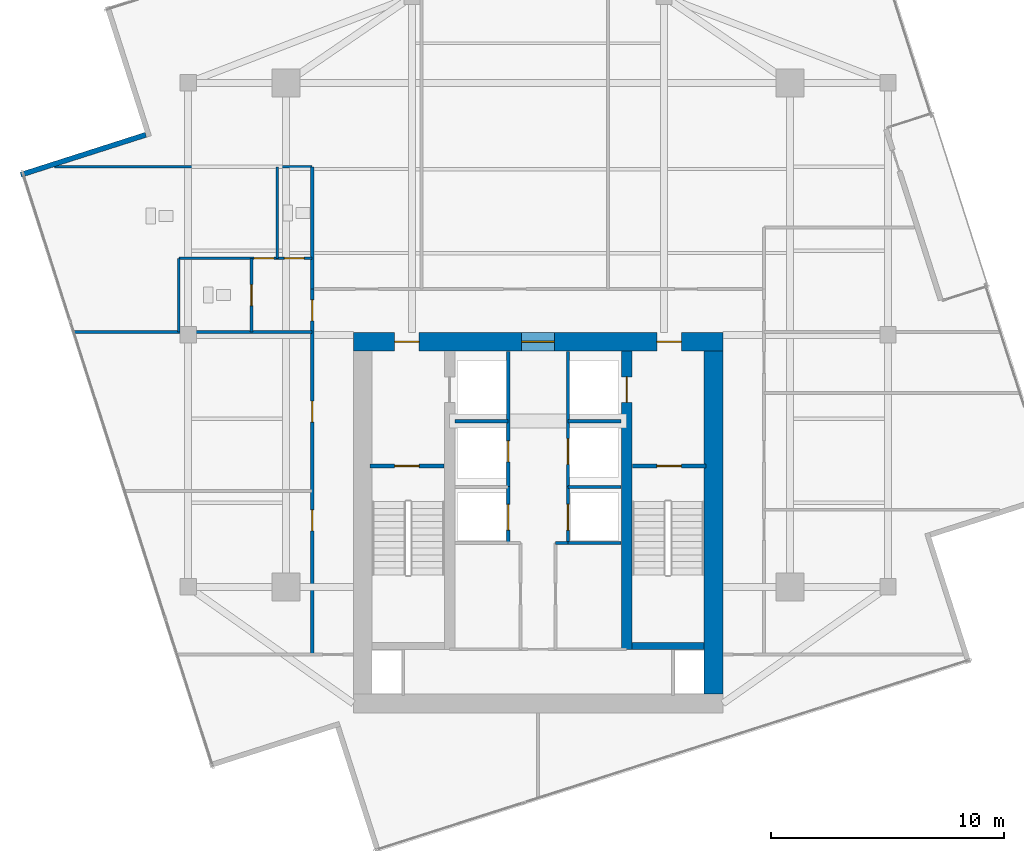
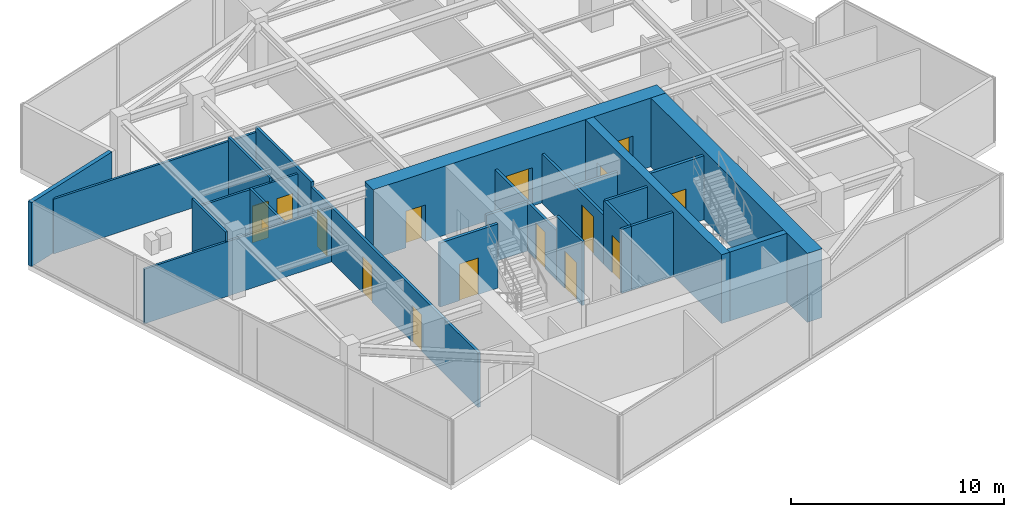
# One storey, part 18 of 21: 24 walls, 16 doors, 16 openings.
"""IFC4 building model written with IfcOpenShell, lengths in metres."""

from ifc_helpers import new_model, si_unit, direction, frame, frame_2d, origin, place, context, subcontext, project, spatial, rectangle, extrude, material, layer, layer_set, type_object, element, fill, save


model = new_model("IFC4")

# Units and contexts
model_context = context("Model", 3, precision=1e-05, world=origin(), true_north=direction((0.0, 1.0)))
body_context = subcontext(model_context, "Body", "Model", "MODEL_VIEW")
ifc_project = project(units=[si_unit("LENGTHUNIT", "METRE"), si_unit("AREAUNIT", "SQUARE_METRE"), si_unit("VOLUMEUNIT", "CUBIC_METRE"), si_unit("PLANEANGLEUNIT", "RADIAN"), si_unit("MASSUNIT", "GRAM", prefix="KILO")], contexts=[model_context])

# Site, building, storey
site_placement = place(None, origin())
site = spatial("IfcSite", under=ifc_project, at=site_placement, CompositionType="ELEMENT")
building_placement = place(site_placement, origin())
building = spatial("IfcBuilding", under=site, at=building_placement, Name="Krantzveldt Concourse Tower", CompositionType="ELEMENT")
storey_placement = place(building_placement, frame((0.0, 0.0, 343.5)))
storey = spatial("IfcBuildingStorey", under=building, at=storey_placement, Name="L84", CompositionType="ELEMENT", Elevation=343.5)

# Walls
ifc_material_1 = material(Name="Anodised aluminium 6063-T6", Category="aluminium")
ifc_layer_1 = layer(ifc_material_1, 0.219970703125, Name="Anodised aluminium 6063-T6", Category="aluminium")
ifc_layer_set_1 = layer_set([ifc_layer_1], Name="Anodised aluminium 6063-T6 (WL-EXT-NOTCH220)")
wall_type_1 = type_object("IfcWallType", Name="WL-EXT-NOTCH220", PredefinedType="ELEMENTEDWALL", material=ifc_layer_set_1)
wall_1_placement = place(storey_placement, frame((19.186279296875, 35.272216796875, 0.0), z_axis=(0.0, 0.0, 1.0), x_axis=(-0.952395921602, -0.30486391803, 0.0)))
element("IfcWall", 1, at=wall_1_placement, inside=storey, type_object=wall_type_1, Name="EW-L84-NCH03", PredefinedType="ELEMENTEDWALL", context=body_context, shape_type="SweptSolid", body=[
    extrude(rectangle(XDim=5.625, YDim=0.219970703125, at=frame_2d((2.8125, 0.0))), origin(), (0.0, 0.0, 1.0), 3.669921875),
])
ifc_material_2 = material(Name="Fire-rated gypsum plasterboard on steel stud", Category="steel")
ifc_layer_2 = layer(ifc_material_2, 0.1201171875, Name="Fire-rated gypsum plasterboard on steel stud", Category="steel")
ifc_layer_set_2 = layer_set([ifc_layer_2], Name="Fire-rated gypsum plasterboard on steel stud (WL-PART-120)")
wall_type_2 = type_object("IfcWallType", Name="WL-PART-120", PredefinedType="PARTITIONING", material=ifc_layer_set_2)
wall_2_placement = place(storey_placement, frame((16.1064453125, 26.820068359375, 0.0), z_axis=(0.0, 0.0, 1.0), x_axis=(1.0, 0.0, 0.0)))
element("IfcWall", 2, at=wall_2_placement, inside=storey, type_object=wall_type_2, Name="WP-L84-WCBS", PredefinedType="PARTITIONING", context=body_context, shape_type="SweptSolid", body=[
    extrude(rectangle(XDim=10.213623046875, YDim=0.1201171875, at=frame_2d((5.10693359375, 0.0))), origin(), (0.0, 0.0, 1.0), 3.1298828125),
])
wall_3_placement = place(storey_placement, frame((15.27685546875, 33.89990234375, 0.0), z_axis=(0.0, 0.0, 1.0), x_axis=(1.0, 0.0, 0.0)))
element("IfcWall", 3, at=wall_3_placement, inside=storey, type_object=wall_type_2, Name="WP-L84-WCBN", PredefinedType="PARTITIONING", context=body_context, shape_type="SweptSolid", body=[
    extrude(rectangle(XDim=11.043212890625, YDim=0.1201171875, at=frame_2d((5.521484375, 0.0))), origin(), (0.0, 0.0, 1.0), 3.1298828125),
])

# Wall, openings, doors
wall_4_placement = place(storey_placement, frame((20.60009765625, 29.97998046875, 0.0), z_axis=(0.0, 0.0, 1.0), x_axis=(1.0, 0.0, 0.0)))
wall_4 = element("IfcWall", 4, at=wall_4_placement, inside=storey, type_object=wall_type_2, Name="WP-L84-WCMH", PredefinedType="PARTITIONING", context=body_context, shape_type="SweptSolid", body=[
    extrude(rectangle(XDim=5.719970703125, YDim=0.1201171875, at=frame_2d((2.85986328125, 0.0))), origin(), (0.0, 0.0, 1.0), 3.1298828125),
])
opening_1_placement = place(wall_4_placement, frame((3.22509765625, 0.0, 0.0)))
opening_1 = element("IfcOpeningElement", 5, at=opening_1_placement, cuts=wall_4, Name="Opening D-IN085", PredefinedType="OPENING", context=body_context, shape_type="SweptSolid", body=[
    extrude(rectangle(XDim=0.85009765625, YDim=2.10009765625, at=frame_2d((0.425048828125, 1.050048828125))), frame((0.0, 0.070068359375, 0.0), z_axis=(0.0, -1.0, 0.0), x_axis=(1.0, 0.0, 0.0)), (0.0, 0.0, 1.0), 0.14013671875),
])
opening_2_placement = place(wall_4_placement, frame((4.52490234375, 0.0, 0.0)))
opening_2 = element("IfcOpeningElement", 6, at=opening_2_placement, cuts=wall_4, Name="Opening D-IN085", PredefinedType="OPENING", context=body_context, shape_type="SweptSolid", body=[
    extrude(rectangle(XDim=0.85009765625, YDim=2.10009765625, at=frame_2d((0.425048828125, 1.050048828125))), frame((0.0, 0.070068359375, 0.0), z_axis=(0.0, -1.0, 0.0), x_axis=(1.0, 0.0, 0.0)), (0.0, 0.0, 1.0), 0.14013671875),
])
ifc_material_3 = material(Name="Hardwood timber", Category="wood")
door_type_1 = type_object("IfcDoorType", Name="DR-INT-850", OperationType="SINGLE_SWING_LEFT", PredefinedType="DOOR", material=ifc_material_3)
door_1_placement = place(opening_1_placement, origin())
door_1 = element("IfcDoor", 7, at=door_1_placement, inside=storey, type_object=door_type_1, Name="DR-L84-WCM", OperationType="SINGLE_SWING_LEFT", OverallHeight=2.10009765625, OverallWidth=0.85009765625, PredefinedType="DOOR", context=body_context, shape_type="SweptSolid", body=[
    extrude(rectangle(XDim=0.85009765625, YDim=2.10009765625, at=frame_2d((0.425048828125, 1.050048828125))), frame((0.0, 0.02490234375, 0.0), z_axis=(0.0, -1.0, 0.0), x_axis=(1.0, 0.0, 0.0)), (0.0, 0.0, 1.0), 0.050048828125),
])
fill(opening_1, door_1)
door_2_placement = place(opening_2_placement, origin())
door_2 = element("IfcDoor", 8, at=door_2_placement, inside=storey, type_object=door_type_1, Name="DR-L84-WCF", OperationType="SINGLE_SWING_RIGHT", OverallHeight=2.10009765625, OverallWidth=0.85009765625, PredefinedType="DOOR", context=body_context, shape_type="SweptSolid", body=[
    extrude(rectangle(XDim=0.85009765625, YDim=2.10009765625, at=frame_2d((0.425048828125, 1.050048828125))), frame((0.0, 0.02490234375, 0.0), z_axis=(0.0, -1.0, 0.0), x_axis=(1.0, 0.0, 0.0)), (0.0, 0.0, 1.0), 0.050048828125),
])
fill(opening_2, door_2)

# Wall
wall_5_placement = place(storey_placement, frame((20.60009765625, 26.820068359375, 0.0), z_axis=(0.0, 0.0, 1.0), x_axis=(0.0, 1.0, 0.0)))
element("IfcWall", 9, at=wall_5_placement, inside=storey, type_object=wall_type_2, Name="WP-L84-WCAL", PredefinedType="PARTITIONING", context=body_context, shape_type="SweptSolid", body=[
    extrude(rectangle(XDim=3.159912109375, YDim=0.1201171875, at=frame_2d((1.580078125, 0.0))), origin(), (0.0, 0.0, 1.0), 3.669921875),
])

# Wall, opening, door
wall_6_placement = place(storey_placement, frame((23.719970703125, 26.820068359375, 0.0), z_axis=(0.0, 0.0, 1.0), x_axis=(0.0, 1.0, 0.0)))
wall_6 = element("IfcWall", 10, at=wall_6_placement, inside=storey, type_object=wall_type_2, Name="WP-L84-WCAV", PredefinedType="PARTITIONING", context=body_context, shape_type="SweptSolid", body=[
    extrude(rectangle(XDim=3.159912109375, YDim=0.1201171875, at=frame_2d((1.580078125, 0.0))), origin(), (0.0, 0.0, 1.0), 3.179931640625),
])
opening_3_placement = place(wall_6_placement, frame((1.1298828125, 0.0, 0.0)))
opening_3 = element("IfcOpeningElement", 11, at=opening_3_placement, cuts=wall_6, Name="Opening D-IN090", PredefinedType="OPENING", context=body_context, shape_type="SweptSolid", body=[
    extrude(rectangle(XDim=0.89990234375, YDim=2.10009765625, at=frame_2d((0.449951171875, 1.050048828125))), frame((0.0, 0.070068359375, 0.0), z_axis=(0.0, -1.0, 0.0), x_axis=(1.0, 0.0, 0.0)), (0.0, 0.0, 1.0), 0.14013671875),
])
door_type_2 = type_object("IfcDoorType", Name="DR-INT-900", OperationType="SINGLE_SWING_LEFT", PredefinedType="DOOR", material=ifc_material_3)
door_3_placement = place(opening_3_placement, origin())
door_3 = element("IfcDoor", 12, at=door_3_placement, inside=storey, type_object=door_type_2, Name="DR-L84-WCA", OperationType="SINGLE_SWING_LEFT", OverallHeight=2.10009765625, OverallWidth=0.89990234375, PredefinedType="DOOR", context=body_context, shape_type="SweptSolid", body=[
    extrude(rectangle(XDim=0.89990234375, YDim=2.10009765625, at=frame_2d((0.449951171875, 1.050048828125))), frame((0.0, 0.02490234375, 0.0), z_axis=(0.0, -1.0, 0.0), x_axis=(1.0, 0.0, 0.0)), (0.0, 0.0, 1.0), 0.050048828125),
])
fill(opening_3, door_3)

# Wall
wall_7_placement = place(storey_placement, frame((24.820068359375, 29.97998046875, 0.0), z_axis=(0.0, 0.0, 1.0), x_axis=(0.0, 1.0, 0.0)))
element("IfcWall", 13, at=wall_7_placement, inside=storey, type_object=wall_type_2, Name="WP-L84-WCFD", PredefinedType="PARTITIONING", context=body_context, shape_type="SweptSolid", body=[
    extrude(rectangle(XDim=3.919921875, YDim=0.1201171875, at=frame_2d((1.9599609375, 0.0))), origin(), (0.0, 0.0, 1.0), 3.3701171875),
])

# Wall, openings, doors
ifc_layer_3 = layer(ifc_material_2, 0.139892578125, Name="Fire-rated gypsum plasterboard on steel stud", Category="steel")
ifc_layer_set_3 = layer_set([ifc_layer_3], Name="Fire-rated gypsum plasterboard on steel stud (WL-PART-140)")
wall_type_3 = type_object("IfcWallType", Name="WL-PART-140", PredefinedType="PARTITIONING", material=ifc_layer_set_3)
wall_8_placement = place(storey_placement, frame((26.320068359375, 13.0, 0.0), z_axis=(0.0, 0.0, 1.0), x_axis=(0.0, 1.0, 0.0)))
wall_8 = element("IfcWall", 14, at=wall_8_placement, inside=storey, type_object=wall_type_3, Name="WP-L84-CWEST", PredefinedType="PARTITIONING", context=body_context, shape_type="SweptSolid", body=[
    extrude(rectangle(XDim=15.659912109375, YDim=0.139892578125, at=frame_2d((7.830078125, 0.0))), origin(), (0.0, 0.0, 1.0), 3.1298828125),
])
opening_4_placement = place(wall_8_placement, frame((14.300048828125, 0.0, 0.0)))
opening_4 = element("IfcOpeningElement", 15, at=opening_4_placement, cuts=wall_8, Name="Opening D-IN090", PredefinedType="OPENING", context=body_context, shape_type="SweptSolid", body=[
    extrude(rectangle(XDim=0.89990234375, YDim=2.10009765625, at=frame_2d((0.449951171875, 1.050048828125))), frame((0.0, 0.080078125, 0.0), z_axis=(0.0, -1.0, 0.0), x_axis=(1.0, 0.0, 0.0)), (0.0, 0.0, 1.0), 0.159912109375),
])
opening_5_placement = place(wall_8_placement, frame((5.300048828125, 0.0, 0.0)))
opening_5 = element("IfcOpeningElement", 16, at=opening_5_placement, cuts=wall_8, Name="Opening D-IN090", PredefinedType="OPENING", context=body_context, shape_type="SweptSolid", body=[
    extrude(rectangle(XDim=0.89990234375, YDim=2.10009765625, at=frame_2d((0.449951171875, 1.050048828125))), frame((0.0, 0.080078125, 0.0), z_axis=(0.0, -1.0, 0.0), x_axis=(1.0, 0.0, 0.0)), (0.0, 0.0, 1.0), 0.159912109375),
])
opening_6_placement = place(wall_8_placement, frame((9.9599609375, 0.0, 0.0)))
opening_6 = element("IfcOpeningElement", 17, at=opening_6_placement, cuts=wall_8, Name="Opening D-IN090", PredefinedType="OPENING", context=body_context, shape_type="SweptSolid", body=[
    extrude(rectangle(XDim=0.89990234375, YDim=2.10009765625, at=frame_2d((0.449951171875, 1.050048828125))), frame((0.0, 0.080078125, 0.0), z_axis=(0.0, -1.0, 0.0), x_axis=(1.0, 0.0, 0.0)), (0.0, 0.0, 1.0), 0.159912109375),
])
door_4_placement = place(opening_4_placement, origin())
door_4 = element("IfcDoor", 18, at=door_4_placement, inside=storey, type_object=door_type_2, Name="DR-L84-WCV", OperationType="SINGLE_SWING_LEFT", OverallHeight=2.10009765625, OverallWidth=0.89990234375, PredefinedType="DOOR", context=body_context, shape_type="SweptSolid", body=[
    extrude(rectangle(XDim=0.89990234375, YDim=2.10009765625, at=frame_2d((0.449951171875, 1.050048828125))), frame((0.0, 0.02490234375, 0.0), z_axis=(0.0, -1.0, 0.0), x_axis=(1.0, 0.0, 0.0)), (0.0, 0.0, 1.0), 0.050048828125),
])
fill(opening_4, door_4)
door_5_placement = place(opening_5_placement, origin())
door_5 = element("IfcDoor", 19, at=door_5_placement, inside=storey, type_object=door_type_2, Name="DR-L84-WR1", OperationType="SINGLE_SWING_LEFT", OverallHeight=2.10009765625, OverallWidth=0.89990234375, PredefinedType="DOOR", context=body_context, shape_type="SweptSolid", body=[
    extrude(rectangle(XDim=0.89990234375, YDim=2.10009765625, at=frame_2d((0.449951171875, 1.050048828125))), frame((0.0, 0.02490234375, 0.0), z_axis=(0.0, -1.0, 0.0), x_axis=(1.0, 0.0, 0.0)), (0.0, 0.0, 1.0), 0.050048828125),
])
fill(opening_5, door_5)
door_6_placement = place(opening_6_placement, origin())
door_6 = element("IfcDoor", 20, at=door_6_placement, inside=storey, type_object=door_type_2, Name="DR-L84-WR2", OperationType="SINGLE_SWING_LEFT", OverallHeight=2.10009765625, OverallWidth=0.89990234375, PredefinedType="DOOR", context=body_context, shape_type="SweptSolid", body=[
    extrude(rectangle(XDim=0.89990234375, YDim=2.10009765625, at=frame_2d((0.449951171875, 1.050048828125))), frame((0.0, 0.02490234375, 0.0), z_axis=(0.0, -1.0, 0.0), x_axis=(1.0, 0.0, 0.0)), (0.0, 0.0, 1.0), 0.050048828125),
])
fill(opening_6, door_6)

# Wall
wall_9_placement = place(storey_placement, frame((26.320068359375, 28.659912109375, 0.0), z_axis=(0.0, 0.0, 1.0), x_axis=(0.0, 1.0, 0.0)))
element("IfcWall", 21, at=wall_9_placement, inside=storey, type_object=wall_type_3, Name="WP-L84-NWL", PredefinedType="PARTITIONING", context=body_context, shape_type="SweptSolid", body=[
    extrude(rectangle(XDim=5.239990234375, YDim=0.139892578125, at=frame_2d((2.6201171875, 0.0))), origin(), (0.0, 0.0, 1.0), 3.429931640625),
])

# Wall, opening, door
ifc_layer_4 = layer(ifc_material_2, 0.139892578125, Name="Fire-rated gypsum plasterboard on steel stud", Category="steel")
ifc_layer_set_4 = layer_set([ifc_layer_4], Name="Fire-rated gypsum plasterboard on steel stud (WL-PART-FR140)")
wall_type_4 = type_object("IfcWallType", Name="WL-PART-FR140", PredefinedType="PARTITIONING", material=ifc_layer_set_4)
wall_10_placement = place(storey_placement, frame((34.719970703125, 20.199951171875, 0.0), z_axis=(0.0, 0.0, 1.0), x_axis=(0.0, 1.0, 0.0)))
wall_10 = element("IfcWall", 22, at=wall_10_placement, inside=storey, type_object=wall_type_4, Name="WP-L84-SHNW", PredefinedType="PARTITIONING", context=body_context, shape_type="SweptSolid", body=[
    extrude(rectangle(XDim=5.780029296875, YDim=0.139892578125, at=frame_2d((2.89013671875, 0.0))), origin(), (0.0, 0.0, 1.0), 2.820068359375),
])
opening_7_placement = place(wall_10_placement, frame((1.050048828125, 0.0, 0.0)))
opening_7 = element("IfcOpeningElement", 23, at=opening_7_placement, cuts=wall_10, Name="Opening D-FD090", PredefinedType="OPENING", context=body_context, shape_type="SweptSolid", body=[
    extrude(rectangle(XDim=0.89990234375, YDim=2.10009765625, at=frame_2d((0.449951171875, 1.050048828125))), frame((0.0, 0.080078125, 0.0), z_axis=(0.0, -1.0, 0.0), x_axis=(1.0, 0.0, 0.0)), (0.0, 0.0, 1.0), 0.159912109375),
])
door_type_3 = type_object("IfcDoorType", Name="DR-FD60-900", OperationType="SINGLE_SWING_LEFT", PredefinedType="DOOR", material=ifc_material_3)
door_7_placement = place(opening_7_placement, origin())
door_7 = element("IfcDoor", 24, at=door_7_placement, inside=storey, type_object=door_type_3, Name="Electrical Riser Access Door L84", OperationType="SINGLE_SWING_LEFT", OverallHeight=2.10009765625, OverallWidth=0.89990234375, PredefinedType="DOOR", context=body_context, shape_type="SweptSolid", body=[
    extrude(rectangle(XDim=0.89990234375, YDim=2.10009765625, at=frame_2d((0.449951171875, 1.050048828125))), frame((0.0, 0.02490234375, 0.0), z_axis=(0.0, -1.0, 0.0), x_axis=(1.0, 0.0, 0.0)), (0.0, 0.0, 1.0), 0.050048828125),
])
fill(opening_7, door_7)

wall_11_placement = place(storey_placement, frame((37.280029296875, 20.199951171875, 0.0), z_axis=(0.0, 0.0, 1.0), x_axis=(0.0, 1.0, 0.0)))
wall_11 = element("IfcWall", 25, at=wall_11_placement, inside=storey, type_object=wall_type_4, Name="WP-L84-SHNE", PredefinedType="PARTITIONING", context=body_context, shape_type="SweptSolid", body=[
    extrude(rectangle(XDim=5.780029296875, YDim=0.139892578125, at=frame_2d((2.89013671875, 0.0))), origin(), (0.0, 0.0, 1.0), 2.820068359375),
])
opening_8_placement = place(wall_11_placement, frame((0.949951171875, 0.0, 0.0)))
opening_8 = element("IfcOpeningElement", 26, at=opening_8_placement, cuts=wall_11, Name="Opening LD", PredefinedType="OPENING", context=body_context, shape_type="SweptSolid", body=[
    extrude(rectangle(XDim=1.10009765625, YDim=2.14990234375, at=frame_2d((0.550048828125, 1.074951171875))), frame((0.0, 0.080078125, 0.0), z_axis=(0.0, -1.0, 0.0), x_axis=(1.0, 0.0, 0.0)), (0.0, 0.0, 1.0), 0.159912109375),
])
ifc_material_4 = material(Name="Stainless steel 316L", Category="steel")
door_type_4 = type_object("IfcDoorType", Name="DR-SLIDE-LD1100", OperationType="DOUBLE_DOOR_SLIDING", PredefinedType="DOOR", material=ifc_material_4)
door_8_placement = place(opening_8_placement, origin())
door_8 = element("IfcDoor", 27, at=door_8_placement, inside=storey, type_object=door_type_4, Name="LD-L84-GL1", OperationType="DOUBLE_DOOR_SLIDING", OverallHeight=2.14990234375, OverallWidth=1.10009765625, PredefinedType="DOOR", context=body_context, shape_type="SweptSolid", body=[
    extrude(rectangle(XDim=1.10009765625, YDim=2.14990234375, at=frame_2d((0.550048828125, 1.074951171875))), frame((0.0, 0.02490234375, 0.0), z_axis=(0.0, -1.0, 0.0), x_axis=(1.0, 0.0, 0.0)), (0.0, 0.0, 1.0), 0.050048828125),
])
fill(opening_8, door_8)

# Walls
for number, where, z_axis, x_axis, name in (
    (28, (32.449951171875, 23.0, 0.0), (0.0, 0.0, 1.0), (1.0, 0.0, 0.0), "WP-L84-RISH"),
    (29, (37.280029296875, 23.0, 0.0), (0.0, 0.0, 1.0), (1.0, 0.0, 0.0), "WP-L84-GLH"),
):
    element("IfcWall", number, at=place(storey_placement, frame(where, z_axis=z_axis, x_axis=x_axis)), inside=storey, type_object=wall_type_4, Name=name, PredefinedType="PARTITIONING", context=body_context, shape_type="SweptSolid", body=[
        extrude(rectangle(XDim=2.27001953125, YDim=0.139892578125, at=frame_2d((1.135009765625, 0.0))), origin(), (0.0, 0.0, 1.0), 2.820068359375),
    ])

# Wall, opening, door
wall_12_placement = place(storey_placement, frame((34.719970703125, 17.780029296875, 0.0), z_axis=(0.0, 0.0, 1.0), x_axis=(0.0, 1.0, 0.0)))
wall_12 = element("IfcWall", 30, at=wall_12_placement, inside=storey, type_object=wall_type_4, Name="WP-L84-SHNW2", PredefinedType="PARTITIONING", context=body_context, shape_type="SweptSolid", body=[
    extrude(rectangle(XDim=2.419921875, YDim=0.139892578125, at=frame_2d((1.2099609375, 0.0))), origin(), (0.0, 0.0, 1.0), 3.669921875),
])
opening_9_placement = place(wall_12_placement, frame((0.550048828125, 0.0, 0.0)))
opening_9 = element("IfcOpeningElement", 31, at=opening_9_placement, cuts=wall_12, Name="Opening LD", PredefinedType="OPENING", context=body_context, shape_type="SweptSolid", body=[
    extrude(rectangle(XDim=1.10009765625, YDim=2.14990234375, at=frame_2d((0.550048828125, 1.074951171875))), frame((0.0, 0.080078125, 0.0), z_axis=(0.0, -1.0, 0.0), x_axis=(1.0, 0.0, 0.0)), (0.0, 0.0, 1.0), 0.159912109375),
])
door_9_placement = place(opening_9_placement, origin())
door_9 = element("IfcDoor", 32, at=door_9_placement, inside=storey, type_object=door_type_4, Name="LD-L84-PH1", OperationType="DOUBLE_DOOR_SLIDING", OverallHeight=2.14990234375, OverallWidth=1.10009765625, PredefinedType="DOOR", context=body_context, shape_type="SweptSolid", body=[
    extrude(rectangle(XDim=1.10009765625, YDim=2.14990234375, at=frame_2d((0.550048828125, 1.074951171875))), frame((0.0, 0.02490234375, 0.0), z_axis=(0.0, -1.0, 0.0), x_axis=(1.0, 0.0, 0.0)), (0.0, 0.0, 1.0), 0.050048828125),
])
fill(opening_9, door_9)

wall_13_placement = place(storey_placement, frame((37.280029296875, 17.780029296875, 0.0), z_axis=(0.0, 0.0, 1.0), x_axis=(0.0, 1.0, 0.0)))
wall_13 = element("IfcWall", 33, at=wall_13_placement, inside=storey, type_object=wall_type_4, Name="WP-L84-SHNE2", PredefinedType="PARTITIONING", context=body_context, shape_type="SweptSolid", body=[
    extrude(rectangle(XDim=2.419921875, YDim=0.139892578125, at=frame_2d((1.2099609375, 0.0))), origin(), (0.0, 0.0, 1.0), 3.669921875),
])
opening_10_placement = place(wall_13_placement, frame((0.550048828125, 0.0, 0.0)))
opening_10 = element("IfcOpeningElement", 34, at=opening_10_placement, cuts=wall_13, Name="Opening LD", PredefinedType="OPENING", context=body_context, shape_type="SweptSolid", body=[
    extrude(rectangle(XDim=1.10009765625, YDim=2.14990234375, at=frame_2d((0.550048828125, 1.074951171875))), frame((0.0, 0.080078125, 0.0), z_axis=(0.0, -1.0, 0.0), x_axis=(1.0, 0.0, 0.0)), (0.0, 0.0, 1.0), 0.159912109375),
])
door_10_placement = place(opening_10_placement, origin())
door_10 = element("IfcDoor", 35, at=door_10_placement, inside=storey, type_object=door_type_4, Name="LD-L84-PH2", OperationType="DOUBLE_DOOR_SLIDING", OverallHeight=2.14990234375, OverallWidth=1.10009765625, PredefinedType="DOOR", context=body_context, shape_type="SweptSolid", body=[
    extrude(rectangle(XDim=1.10009765625, YDim=2.14990234375, at=frame_2d((0.550048828125, 1.074951171875))), frame((0.0, 0.02490234375, 0.0), z_axis=(0.0, -1.0, 0.0), x_axis=(1.0, 0.0, 0.0)), (0.0, 0.0, 1.0), 0.050048828125),
])
fill(opening_10, door_10)

# Walls
for number, where, z_axis, x_axis, name in (
    (36, (37.280029296875, 17.780029296875, 0.0), (0.0, 0.0, 1.0), (1.0, 0.0, 0.0), "WP-L84-DIVE2"),
    (37, (37.280029296875, 20.179931640625, 0.0), (0.0, 0.0, 1.0), (1.0, 0.0, 0.0), "WP-L84-DIVE3"),
):
    element("IfcWall", number, at=place(storey_placement, frame(where, z_axis=z_axis, x_axis=x_axis)), inside=storey, type_object=wall_type_4, Name=name, PredefinedType="PARTITIONING", context=body_context, shape_type="SweptSolid", body=[
        extrude(rectangle(XDim=2.27001953125, YDim=0.139892578125, at=frame_2d((1.135009765625, 0.0))), origin(), (0.0, 0.0, 1.0), 3.669921875),
    ])
wall_14_placement = place(storey_placement, frame((36.75, 17.780029296875, 0.0), z_axis=(0.0, 0.0, 1.0), x_axis=(1.0, 0.0, 0.0)))
element("IfcWall", 38, at=wall_14_placement, inside=storey, type_object=wall_type_4, Name="WP-L84-RECEN", PredefinedType="PARTITIONING", context=body_context, shape_type="SweptSolid", body=[
    extrude(rectangle(XDim=0.530029296875, YDim=0.139892578125, at=frame_2d((0.26513671875, 0.0))), origin(), (0.0, 0.0, 1.0), 3.669921875),
])

# Wall, opening, door
ifc_layer_5 = layer(ifc_material_2, 0.159912109375, Name="Fire-rated gypsum plasterboard on steel stud", Category="steel")
ifc_layer_set_5 = layer_set([ifc_layer_5], Name="Fire-rated gypsum plasterboard on steel stud (WL-PART-FR160)")
wall_type_5 = type_object("IfcWallType", Name="WL-PART-FR160", PredefinedType="PARTITIONING", material=ifc_layer_set_5)
wall_15_placement = place(storey_placement, frame((28.800048828125, 21.080078125, 0.0), z_axis=(0.0, 0.0, 1.0), x_axis=(1.0, 0.0, 0.0)))
wall_15 = element("IfcWall", 39, at=wall_15_placement, inside=storey, type_object=wall_type_5, Name="WP-L84-ST1", PredefinedType="PARTITIONING", context=body_context, shape_type="SweptSolid", body=[
    extrude(rectangle(XDim=3.159912109375, YDim=0.159912109375, at=frame_2d((1.580078125, 0.0))), origin(), (0.0, 0.0, 1.0), 3.669921875),
])
opening_11_placement = place(wall_15_placement, frame((1.054931640625, 0.0, 0.0)))
opening_11 = element("IfcOpeningElement", 40, at=opening_11_placement, cuts=wall_15, Name="Opening D-FD105", PredefinedType="OPENING", context=body_context, shape_type="SweptSolid", body=[
    extrude(rectangle(XDim=1.050048828125, YDim=2.10009765625, at=frame_2d((0.52490234375, 1.050048828125))), frame((0.0, 0.08984375, 0.0), z_axis=(0.0, -1.0, 0.0), x_axis=(1.0, 0.0, 0.0)), (0.0, 0.0, 1.0), 0.179931640625),
])
ifc_material_5 = material(Name="Galvanised steel", Category="steel")
door_type_5 = type_object("IfcDoorType", Name="DR-FD120-1050", OperationType="SINGLE_SWING_LEFT", PredefinedType="DOOR", material=ifc_material_5)
door_11_placement = place(opening_11_placement, origin())
door_11 = element("IfcDoor", 41, at=door_11_placement, inside=storey, type_object=door_type_5, Name="DR-L84-ST1", OperationType="SINGLE_SWING_RIGHT", OverallHeight=2.10009765625, OverallWidth=1.050048828125, PredefinedType="DOOR", context=body_context, shape_type="SweptSolid", body=[
    extrude(rectangle(XDim=1.050048828125, YDim=2.10009765625, at=frame_2d((0.52490234375, 1.050048828125))), frame((0.0, 0.02490234375, 0.0), z_axis=(0.0, -1.0, 0.0), x_axis=(1.0, 0.0, 0.0)), (0.0, 0.0, 1.0), 0.050048828125),
])
fill(opening_11, door_11)

wall_16_placement = place(storey_placement, frame((40.0400390625, 21.080078125, 0.0), z_axis=(0.0, 0.0, 1.0), x_axis=(1.0, 0.0, 0.0)))
wall_16 = element("IfcWall", 42, at=wall_16_placement, inside=storey, type_object=wall_type_5, Name="WP-L84-ST2", PredefinedType="PARTITIONING", context=body_context, shape_type="SweptSolid", body=[
    extrude(rectangle(XDim=3.159912109375, YDim=0.159912109375, at=frame_2d((1.580078125, 0.0))), origin(), (0.0, 0.0, 1.0), 3.669921875),
])
opening_12_placement = place(wall_16_placement, frame((1.054931640625, 0.0, 0.0)))
opening_12 = element("IfcOpeningElement", 43, at=opening_12_placement, cuts=wall_16, Name="Opening D-FD105", PredefinedType="OPENING", context=body_context, shape_type="SweptSolid", body=[
    extrude(rectangle(XDim=1.050048828125, YDim=2.10009765625, at=frame_2d((0.52490234375, 1.050048828125))), frame((0.0, 0.08984375, 0.0), z_axis=(0.0, -1.0, 0.0), x_axis=(1.0, 0.0, 0.0)), (0.0, 0.0, 1.0), 0.179931640625),
])
door_12_placement = place(opening_12_placement, origin())
door_12 = element("IfcDoor", 44, at=door_12_placement, inside=storey, type_object=door_type_5, Name="DR-L84-ST2", OperationType="SINGLE_SWING_LEFT", OverallHeight=2.10009765625, OverallWidth=1.050048828125, PredefinedType="DOOR", context=body_context, shape_type="SweptSolid", body=[
    extrude(rectangle(XDim=1.050048828125, YDim=2.10009765625, at=frame_2d((0.52490234375, 1.050048828125))), frame((0.0, 0.02490234375, 0.0), z_axis=(0.0, -1.0, 0.0), x_axis=(1.0, 0.0, 0.0)), (0.0, 0.0, 1.0), 0.050048828125),
])
fill(opening_12, door_12)

# Wall
ifc_material_6 = material(Name="Concrete C50/60", Category="concrete")
ifc_layer_6 = layer(ifc_material_6, 0.300048828125, Name="Concrete C50/60", Category="concrete")
ifc_layer_set_6 = layer_set([ifc_layer_6], Name="Concrete C50/60 (WL-SHEAR-300)")
wall_type_6 = type_object("IfcWallType", Name="WL-SHEAR-300", PredefinedType="SHEAR", material=ifc_layer_set_6)
wall_17_placement = place(storey_placement, frame((40.02001953125, 13.3701171875, 0.0), z_axis=(0.0, 0.0, 1.0), x_axis=(1.0, 0.0, 0.0)))
element("IfcWall", 45, at=wall_17_placement, inside=storey, type_object=wall_type_6, Name="CW-L84-ST2S", PredefinedType="SHEAR", context=body_context, shape_type="SweptSolid", body=[
    extrude(rectangle(XDim=3.10009765625, YDim=0.300048828125, at=frame_2d((1.550048828125, 0.0))), origin(), (0.0, 0.0, 1.0), 3.949951171875),
])

# Wall, opening, door
ifc_layer_7 = layer(ifc_material_6, 0.449951171875, Name="Concrete C50/60", Category="concrete")
ifc_layer_set_7 = layer_set([ifc_layer_7], Name="Concrete C50/60 (WL-SHEAR-450)")
wall_type_7 = type_object("IfcWallType", Name="WL-SHEAR-450", PredefinedType="SHEAR", material=ifc_layer_set_7)
wall_18_placement = place(storey_placement, frame((39.794921875, 13.219970703125, 0.0), z_axis=(0.0, 0.0, 1.0), x_axis=(0.0, 1.0, 0.0)))
wall_18 = element("IfcWall", 46, at=wall_18_placement, inside=storey, type_object=wall_type_7, Name="CW-L84-IE", PredefinedType="SHEAR", context=body_context, shape_type="SweptSolid", body=[
    extrude(rectangle(XDim=12.780029296875, YDim=0.449951171875, at=frame_2d((6.39013671875, 0.0))), origin(), (0.0, 0.0, 1.0), 3.949951171875),
])
opening_13_placement = place(wall_18_placement, frame((10.580078125, 0.0, 0.0)))
opening_13 = element("IfcOpeningElement", 47, at=opening_13_placement, cuts=wall_18, Name="Opening LD", PredefinedType="OPENING", context=body_context, shape_type="SweptSolid", body=[
    extrude(rectangle(XDim=1.10009765625, YDim=2.14990234375, at=frame_2d((0.550048828125, 1.074951171875))), frame((0.0, 0.23486328125, 0.0), z_axis=(0.0, -1.0, 0.0), x_axis=(1.0, 0.0, 0.0)), (0.0, 0.0, 1.0), 0.469970703125),
])
door_13_placement = place(opening_13_placement, origin())
door_13 = element("IfcDoor", 48, at=door_13_placement, inside=storey, type_object=door_type_4, Name="LD-L84-FL2", OperationType="DOUBLE_DOOR_SLIDING", OverallHeight=2.14990234375, OverallWidth=1.10009765625, PredefinedType="DOOR", context=body_context, shape_type="SweptSolid", body=[
    extrude(rectangle(XDim=1.10009765625, YDim=2.14990234375, at=frame_2d((0.550048828125, 1.074951171875))), frame((0.0, 0.02490234375, 0.0), z_axis=(0.0, -1.0, 0.0), x_axis=(1.0, 0.0, 0.0)), (0.0, 0.0, 1.0), 0.050048828125),
])
fill(opening_13, door_13)

# Wall, openings, doors
ifc_material_7 = material(Name="Concrete C60/75", Category="concrete")
ifc_layer_8 = layer(ifc_material_7, 0.800048828125, Name="Concrete C60/75", Category="concrete")
ifc_layer_set_8 = layer_set([ifc_layer_8], Name="Concrete C60/75 (WL-SHEAR-800)")
wall_type_8 = type_object("IfcWallType", Name="WL-SHEAR-800", PredefinedType="SHEAR", material=ifc_layer_set_8)
wall_19_placement = place(storey_placement, frame((28.080078125, 26.39990234375, 0.0), z_axis=(0.0, 0.0, 1.0), x_axis=(1.0, 0.0, 0.0)))
wall_19 = element("IfcWall", 49, at=wall_19_placement, inside=storey, type_object=wall_type_8, Name="CW-L84-N", PredefinedType="SHEAR", context=body_context, shape_type="SweptSolid", body=[
    extrude(rectangle(XDim=15.83984375, YDim=0.800048828125, at=frame_2d((7.919921875, 0.0))), origin(), (0.0, 0.0, 1.0), 3.949951171875),
])
opening_14_placement = place(wall_19_placement, frame((7.219970703125, 0.0, 0.0)))
opening_14 = element("IfcOpeningElement", 50, at=opening_14_placement, cuts=wall_19, Name="Opening D-DB140", PredefinedType="OPENING", context=body_context, shape_type="SweptSolid", body=[
    extrude(rectangle(XDim=1.39990234375, YDim=2.199951171875, at=frame_2d((0.699951171875, 1.10009765625))), frame((0.0, 0.41015625, 0.0), z_axis=(0.0, -1.0, 0.0), x_axis=(1.0, 0.0, 0.0)), (0.0, 0.0, 1.0), 0.820068359375),
])
opening_15_placement = place(wall_19_placement, frame((1.77490234375, 0.0, 0.0)))
opening_15 = element("IfcOpeningElement", 51, at=opening_15_placement, cuts=wall_19, Name="Opening D-FD105", PredefinedType="OPENING", context=body_context, shape_type="SweptSolid", body=[
    extrude(rectangle(XDim=1.050048828125, YDim=2.10009765625, at=frame_2d((0.52490234375, 1.050048828125))), frame((0.0, 0.41015625, 0.0), z_axis=(0.0, -1.0, 0.0), x_axis=(1.0, 0.0, 0.0)), (0.0, 0.0, 1.0), 0.820068359375),
])
opening_16_placement = place(wall_19_placement, frame((13.014892578125, 0.0, 0.0)))
opening_16 = element("IfcOpeningElement", 52, at=opening_16_placement, cuts=wall_19, Name="Opening D-FD105", PredefinedType="OPENING", context=body_context, shape_type="SweptSolid", body=[
    extrude(rectangle(XDim=1.050048828125, YDim=2.10009765625, at=frame_2d((0.52490234375, 1.050048828125))), frame((0.0, 0.41015625, 0.0), z_axis=(0.0, -1.0, 0.0), x_axis=(1.0, 0.0, 0.0)), (0.0, 0.0, 1.0), 0.820068359375),
])
door_type_6 = type_object("IfcDoorType", Name="DR-DBL-1400", OperationType="DOUBLE_DOOR_SINGLE_SWING", PredefinedType="DOOR", material=ifc_material_1)
door_14_placement = place(opening_14_placement, origin())
door_14 = element("IfcDoor", 53, at=door_14_placement, inside=storey, type_object=door_type_6, Name="DR-L84-LLB", OperationType="DOUBLE_DOOR_SINGLE_SWING", OverallHeight=2.199951171875, OverallWidth=1.39990234375, PredefinedType="DOOR", context=body_context, shape_type="SweptSolid", body=[
    extrude(rectangle(XDim=1.39990234375, YDim=2.199951171875, at=frame_2d((0.699951171875, 1.10009765625))), frame((0.0, 0.02490234375, 0.0), z_axis=(0.0, -1.0, 0.0), x_axis=(1.0, 0.0, 0.0)), (0.0, 0.0, 1.0), 0.050048828125),
])
fill(opening_14, door_14)
door_15_placement = place(opening_15_placement, origin())
door_15 = element("IfcDoor", 54, at=door_15_placement, inside=storey, type_object=door_type_5, Name="DR-L84-FFL1", OperationType="SINGLE_SWING_LEFT", OverallHeight=2.10009765625, OverallWidth=1.050048828125, PredefinedType="DOOR", context=body_context, shape_type="SweptSolid", body=[
    extrude(rectangle(XDim=1.050048828125, YDim=2.10009765625, at=frame_2d((0.52490234375, 1.050048828125))), frame((0.0, 0.02490234375, 0.0), z_axis=(0.0, -1.0, 0.0), x_axis=(1.0, 0.0, 0.0)), (0.0, 0.0, 1.0), 0.050048828125),
])
fill(opening_15, door_15)
door_16_placement = place(opening_16_placement, origin())
door_16 = element("IfcDoor", 55, at=door_16_placement, inside=storey, type_object=door_type_5, Name="DR-L84-FFL2", OperationType="SINGLE_SWING_RIGHT", OverallHeight=2.10009765625, OverallWidth=1.050048828125, PredefinedType="DOOR", context=body_context, shape_type="SweptSolid", body=[
    extrude(rectangle(XDim=1.050048828125, YDim=2.10009765625, at=frame_2d((0.52490234375, 1.050048828125))), frame((0.0, 0.02490234375, 0.0), z_axis=(0.0, -1.0, 0.0), x_axis=(1.0, 0.0, 0.0)), (0.0, 0.0, 1.0), 0.050048828125),
])
fill(opening_16, door_16)

# Wall
wall_20_placement = place(storey_placement, frame((43.52001953125, 11.300048828125, 0.0), z_axis=(0.0, 0.0, 1.0), x_axis=(0.0, 1.0, 0.0)))
element("IfcWall", 56, at=wall_20_placement, inside=storey, type_object=wall_type_8, Name="CW-L84-E", PredefinedType="SHEAR", context=body_context, shape_type="SweptSolid", body=[
    extrude(rectangle(XDim=14.699951171875, YDim=0.800048828125, at=frame_2d((7.35009765625, 0.0))), origin(), (0.0, 0.0, 1.0), 3.949951171875),
])

save(model, "model.ifc")
